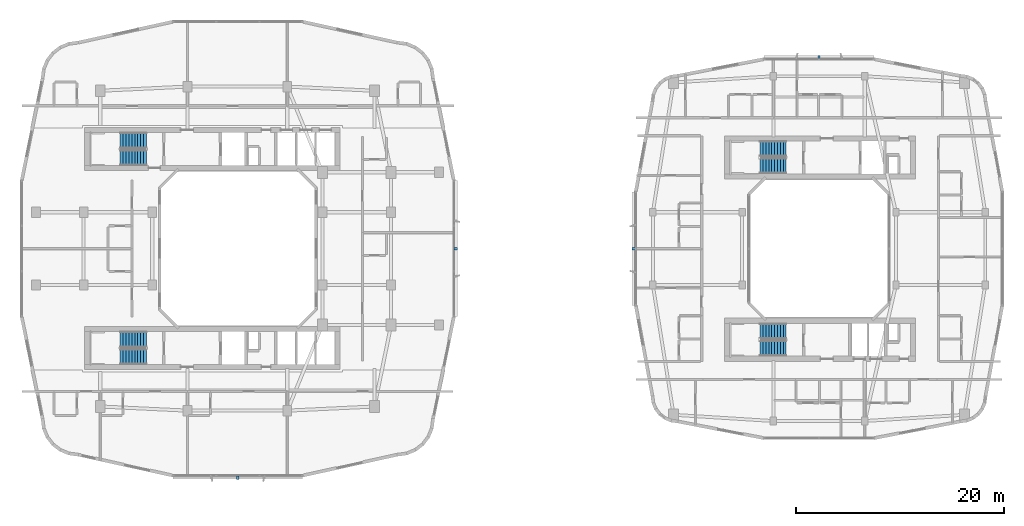
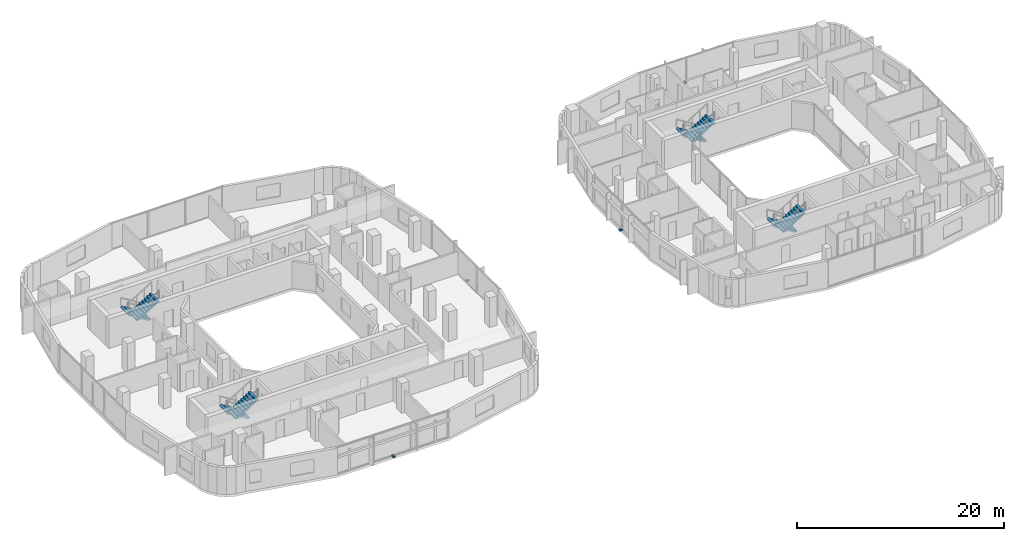
# One storey, part 20 of 25: 8 stair flights, 4 discrete accessories, 4 elements without a shape of their own.
"""IFC4 building model written with IfcOpenShell, lengths in metres."""

from ifc_helpers import new_model, si_unit, derived_unit, direction, frame, origin, origin_2d, place, context, subcontext, project, spatial, polyline, rectangle, outline, extrude, material, type_object, element, aggregate, save


model = new_model("IFC4")

# Units and contexts
model_context = context("Model", 3, precision=1e-05, world=origin(), true_north=direction((0.0, 1.0)))
body_context = subcontext(model_context, "Body", "Model", "MODEL_VIEW")
ifc_project = project(units=[si_unit("LENGTHUNIT", "METRE"), si_unit("AREAUNIT", "SQUARE_METRE"), si_unit("VOLUMEUNIT", "CUBIC_METRE"), si_unit("PLANEANGLEUNIT", "RADIAN"), si_unit("MASSUNIT", "GRAM", prefix="KILO"), derived_unit("THERMALTRANSMITTANCEUNIT", [(si_unit("POWERUNIT", "WATT"), 1), (si_unit("LENGTHUNIT", "METRE"), -2), (si_unit("THERMODYNAMICTEMPERATUREUNIT", "KELVIN"), -1)])], contexts=[model_context])

# Site, building, storey
site_placement = place(None, origin())
site = spatial("IfcSite", under=ifc_project, at=site_placement, CompositionType="ELEMENT")
building_placement = place(site_placement, origin())
building = spatial("IfcBuilding", under=site, at=building_placement, Name="Kivonza Crest Hotel", CompositionType="ELEMENT")
storey_placement = place(building_placement, frame((0.0, 0.0, 87.0)))
storey = spatial("IfcBuildingStorey", under=building, at=storey_placement, Name="L23", CompositionType="ELEMENT", Elevation=87.0)

# Stair, stair flights
ifc_material_1 = material(Name="Concrete C40/50", Category="concrete")
stair_type = type_object("IfcStairType", Name="ST-DL-20R", PredefinedType="HALF_TURN_STAIR", material=ifc_material_1)
stair_1_placement = place(storey_placement, origin())
stair_1 = element("IfcStair", 1, at=stair_1_placement, inside=storey, type_object=stair_type, Name="L23 Protected Exit Stair ST-T1-N", PredefinedType="HALF_TURN_STAIR")
stair_flight_type = type_object("IfcStairFlightType", Name="SFL-RC-10R", PredefinedType="STRAIGHT", material=ifc_material_1)
stair_flight_1_placement = place(storey_placement, frame((12.239990234375, 35.409912109375, 0.0), z_axis=(0.0, 0.0, 1.0), x_axis=(-1.0, 0.0, 0.0)))
stair_flight_1 = element("IfcStairFlight", 2, at=stair_flight_1_placement, type_object=stair_flight_type, Name="ST-T1-N flight 1", NumberOfRisers=10, NumberOfTreads=9, PredefinedType="STRAIGHT", RiserHeight=0.175, TreadLength=0.28, context=body_context, shape_type="SweptSolid", body=[
    extrude(outline(polyline([(0.0, 0.0), (0.0, 0.175048828125), (0.280029296875, 0.175048828125), (0.280029296875, 0.35009765625), (0.56005859375, 0.35009765625), (0.56005859375, 0.52490234375), (0.840087890625, 0.52490234375), (0.840087890625, 0.699951171875), (1.1201171875, 0.699951171875), (1.1201171875, 0.875), (1.39990234375, 0.875), (1.39990234375, 1.050048828125), (1.679931640625, 1.050048828125), (1.679931640625, 1.22509765625), (1.9599609375, 1.22509765625), (1.9599609375, 1.39990234375), (2.239990234375, 1.39990234375), (2.239990234375, 1.574951171875), (2.52001953125, 1.574951171875), (2.52001953125, 1.75), (2.52001953125, 1.398193359375), (0.28271484375, 0.0), (0.0, 0.0)])), frame((0.0, 0.75, 0.0), z_axis=(0.0, -1.0, 0.0), x_axis=(1.0, 0.0, 0.0)), (0.0, 0.0, 1.0), 1.5),
])
stair_flight_2_placement = place(storey_placement, frame((9.719970703125, 33.77001953125, 1.75), z_axis=(0.0, 0.0, 1.0), x_axis=(1.0, 0.0, 0.0)))
stair_flight_2 = element("IfcStairFlight", 3, at=stair_flight_2_placement, type_object=stair_flight_type, Name="ST-T1-N flight 2", NumberOfRisers=10, NumberOfTreads=9, PredefinedType="STRAIGHT", RiserHeight=0.175, TreadLength=0.28, context=body_context, shape_type="SweptSolid", body=[
    extrude(outline(polyline([(0.0, 0.0), (0.0, 0.175048828125), (0.280029296875, 0.175048828125), (0.280029296875, 0.35009765625), (0.56005859375, 0.35009765625), (0.56005859375, 0.52490234375), (0.840087890625, 0.52490234375), (0.840087890625, 0.699951171875), (1.1201171875, 0.699951171875), (1.1201171875, 0.875), (1.39990234375, 0.875), (1.39990234375, 1.050048828125), (1.679931640625, 1.050048828125), (1.679931640625, 1.22509765625), (1.9599609375, 1.22509765625), (1.9599609375, 1.39990234375), (2.239990234375, 1.39990234375), (2.239990234375, 1.574951171875), (2.52001953125, 1.574951171875), (2.52001953125, 1.75), (2.52001953125, 1.398193359375), (0.28271484375, 0.0), (0.0, 0.0)])), frame((0.0, 0.75, 0.0), z_axis=(0.0, -1.0, 0.0), x_axis=(1.0, 0.0, 0.0)), (0.0, 0.0, 1.0), 1.5),
])
aggregate(stair_1, [stair_flight_1, stair_flight_2])

stair_2_placement = place(storey_placement, origin())
stair_2 = element("IfcStair", 4, at=stair_2_placement, inside=storey, type_object=stair_type, Name="L23 Protected Exit Stair ST-T1-S", PredefinedType="HALF_TURN_STAIR")
stair_flight_3_placement = place(storey_placement, frame((12.239990234375, 16.25, 0.0), z_axis=(0.0, 0.0, 1.0), x_axis=(-1.0, 0.0, 0.0)))
stair_flight_3 = element("IfcStairFlight", 5, at=stair_flight_3_placement, type_object=stair_flight_type, Name="ST-T1-S flight 1", NumberOfRisers=10, NumberOfTreads=9, PredefinedType="STRAIGHT", RiserHeight=0.175, TreadLength=0.28, context=body_context, shape_type="SweptSolid", body=[
    extrude(outline(polyline([(0.0, 0.0), (0.0, 0.175048828125), (0.280029296875, 0.175048828125), (0.280029296875, 0.35009765625), (0.56005859375, 0.35009765625), (0.56005859375, 0.52490234375), (0.840087890625, 0.52490234375), (0.840087890625, 0.699951171875), (1.1201171875, 0.699951171875), (1.1201171875, 0.875), (1.39990234375, 0.875), (1.39990234375, 1.050048828125), (1.679931640625, 1.050048828125), (1.679931640625, 1.22509765625), (1.9599609375, 1.22509765625), (1.9599609375, 1.39990234375), (2.239990234375, 1.39990234375), (2.239990234375, 1.574951171875), (2.52001953125, 1.574951171875), (2.52001953125, 1.75), (2.52001953125, 1.398193359375), (0.28271484375, 0.0), (0.0, 0.0)])), frame((0.0, 0.75, 0.0), z_axis=(0.0, -1.0, 0.0), x_axis=(1.0, 0.0, 0.0)), (0.0, 0.0, 1.0), 1.5),
])
stair_flight_4_placement = place(storey_placement, frame((9.719970703125, 14.610107421875, 1.75), z_axis=(0.0, 0.0, 1.0), x_axis=(1.0, 0.0, 0.0)))
stair_flight_4 = element("IfcStairFlight", 6, at=stair_flight_4_placement, type_object=stair_flight_type, Name="ST-T1-S flight 2", NumberOfRisers=10, NumberOfTreads=9, PredefinedType="STRAIGHT", RiserHeight=0.175, TreadLength=0.28, context=body_context, shape_type="SweptSolid", body=[
    extrude(outline(polyline([(0.0, 0.0), (0.0, 0.175048828125), (0.280029296875, 0.175048828125), (0.280029296875, 0.35009765625), (0.56005859375, 0.35009765625), (0.56005859375, 0.52490234375), (0.840087890625, 0.52490234375), (0.840087890625, 0.699951171875), (1.1201171875, 0.699951171875), (1.1201171875, 0.875), (1.39990234375, 0.875), (1.39990234375, 1.050048828125), (1.679931640625, 1.050048828125), (1.679931640625, 1.22509765625), (1.9599609375, 1.22509765625), (1.9599609375, 1.39990234375), (2.239990234375, 1.39990234375), (2.239990234375, 1.574951171875), (2.52001953125, 1.574951171875), (2.52001953125, 1.75), (2.52001953125, 1.398193359375), (0.28271484375, 0.0), (0.0, 0.0)])), frame((0.0, 0.75, 0.0), z_axis=(0.0, -1.0, 0.0), x_axis=(1.0, 0.0, 0.0)), (0.0, 0.0, 1.0), 1.5),
])
aggregate(stair_2, [stair_flight_3, stair_flight_4])

stair_3_placement = place(storey_placement, origin())
stair_3 = element("IfcStair", 7, at=stair_3_placement, inside=storey, type_object=stair_type, Name="L23 Protected Exit Stair ST-T2-N", PredefinedType="HALF_TURN_STAIR")
stair_flight_5_placement = place(storey_placement, frame((73.840087890625, 34.610107421875, 0.0), z_axis=(0.0, 0.0, 1.0), x_axis=(-1.0, 0.0, 0.0)))
stair_flight_5 = element("IfcStairFlight", 8, at=stair_flight_5_placement, type_object=stair_flight_type, Name="ST-T2-N flight 1", NumberOfRisers=10, NumberOfTreads=9, PredefinedType="STRAIGHT", RiserHeight=0.175, TreadLength=0.28, context=body_context, shape_type="SweptSolid", body=[
    extrude(outline(polyline([(0.0, 0.0), (0.0, 0.175048828125), (0.280029296875, 0.175048828125), (0.280029296875, 0.35009765625), (0.56005859375, 0.35009765625), (0.56005859375, 0.52490234375), (0.840087890625, 0.52490234375), (0.840087890625, 0.699951171875), (1.1201171875, 0.699951171875), (1.1201171875, 0.875), (1.39990234375, 0.875), (1.39990234375, 1.050048828125), (1.679931640625, 1.050048828125), (1.679931640625, 1.22509765625), (1.9599609375, 1.22509765625), (1.9599609375, 1.39990234375), (2.239990234375, 1.39990234375), (2.239990234375, 1.574951171875), (2.52001953125, 1.574951171875), (2.52001953125, 1.75), (2.52001953125, 1.398193359375), (0.28271484375, 0.0), (0.0, 0.0)])), frame((0.0, 0.75, 0.0), z_axis=(0.0, -1.0, 0.0), x_axis=(1.0, 0.0, 0.0)), (0.0, 0.0, 1.0), 1.5),
])
stair_flight_6_placement = place(storey_placement, frame((71.320068359375, 32.969970703125, 1.75), z_axis=(0.0, 0.0, 1.0), x_axis=(1.0, 0.0, 0.0)))
stair_flight_6 = element("IfcStairFlight", 9, at=stair_flight_6_placement, type_object=stair_flight_type, Name="ST-T2-N flight 2", NumberOfRisers=10, NumberOfTreads=9, PredefinedType="STRAIGHT", RiserHeight=0.175, TreadLength=0.28, context=body_context, shape_type="SweptSolid", body=[
    extrude(outline(polyline([(0.0, 0.0), (0.0, 0.175048828125), (0.280029296875, 0.175048828125), (0.280029296875, 0.35009765625), (0.56005859375, 0.35009765625), (0.56005859375, 0.52490234375), (0.840087890625, 0.52490234375), (0.840087890625, 0.699951171875), (1.1201171875, 0.699951171875), (1.1201171875, 0.875), (1.39990234375, 0.875), (1.39990234375, 1.050048828125), (1.679931640625, 1.050048828125), (1.679931640625, 1.22509765625), (1.9599609375, 1.22509765625), (1.9599609375, 1.39990234375), (2.239990234375, 1.39990234375), (2.239990234375, 1.574951171875), (2.52001953125, 1.574951171875), (2.52001953125, 1.75), (2.52001953125, 1.398193359375), (0.28271484375, 0.0), (0.0, 0.0)])), frame((0.0, 0.75, 0.0), z_axis=(0.0, -1.0, 0.0), x_axis=(1.0, 0.0, 0.0)), (0.0, 0.0, 1.0), 1.5),
])
aggregate(stair_3, [stair_flight_5, stair_flight_6])

stair_4_placement = place(storey_placement, origin())
stair_4 = element("IfcStair", 10, at=stair_4_placement, inside=storey, type_object=stair_type, Name="L23 Protected Exit Stair ST-T2-S", PredefinedType="HALF_TURN_STAIR")
stair_flight_7_placement = place(storey_placement, frame((73.840087890625, 17.050048828125, 0.0), z_axis=(0.0, 0.0, 1.0), x_axis=(-1.0, 0.0, 0.0)))
stair_flight_7 = element("IfcStairFlight", 11, at=stair_flight_7_placement, type_object=stair_flight_type, Name="ST-T2-S flight 1", NumberOfRisers=10, NumberOfTreads=9, PredefinedType="STRAIGHT", RiserHeight=0.175, TreadLength=0.28, context=body_context, shape_type="SweptSolid", body=[
    extrude(outline(polyline([(0.0, 0.0), (0.0, 0.175048828125), (0.280029296875, 0.175048828125), (0.280029296875, 0.35009765625), (0.56005859375, 0.35009765625), (0.56005859375, 0.52490234375), (0.840087890625, 0.52490234375), (0.840087890625, 0.699951171875), (1.1201171875, 0.699951171875), (1.1201171875, 0.875), (1.39990234375, 0.875), (1.39990234375, 1.050048828125), (1.679931640625, 1.050048828125), (1.679931640625, 1.22509765625), (1.9599609375, 1.22509765625), (1.9599609375, 1.39990234375), (2.239990234375, 1.39990234375), (2.239990234375, 1.574951171875), (2.52001953125, 1.574951171875), (2.52001953125, 1.75), (2.52001953125, 1.398193359375), (0.28271484375, 0.0), (0.0, 0.0)])), frame((0.0, 0.75, 0.0), z_axis=(0.0, -1.0, 0.0), x_axis=(1.0, 0.0, 0.0)), (0.0, 0.0, 1.0), 1.5),
])
stair_flight_8_placement = place(storey_placement, frame((71.320068359375, 15.409912109375, 1.75), z_axis=(0.0, 0.0, 1.0), x_axis=(1.0, 0.0, 0.0)))
stair_flight_8 = element("IfcStairFlight", 12, at=stair_flight_8_placement, type_object=stair_flight_type, Name="ST-T2-S flight 2", NumberOfRisers=10, NumberOfTreads=9, PredefinedType="STRAIGHT", RiserHeight=0.175, TreadLength=0.28, context=body_context, shape_type="SweptSolid", body=[
    extrude(outline(polyline([(0.0, 0.0), (0.0, 0.175048828125), (0.280029296875, 0.175048828125), (0.280029296875, 0.35009765625), (0.56005859375, 0.35009765625), (0.56005859375, 0.52490234375), (0.840087890625, 0.52490234375), (0.840087890625, 0.699951171875), (1.1201171875, 0.699951171875), (1.1201171875, 0.875), (1.39990234375, 0.875), (1.39990234375, 1.050048828125), (1.679931640625, 1.050048828125), (1.679931640625, 1.22509765625), (1.9599609375, 1.22509765625), (1.9599609375, 1.39990234375), (2.239990234375, 1.39990234375), (2.239990234375, 1.574951171875), (2.52001953125, 1.574951171875), (2.52001953125, 1.75), (2.52001953125, 1.398193359375), (0.28271484375, 0.0), (0.0, 0.0)])), frame((0.0, 0.75, 0.0), z_axis=(0.0, -1.0, 0.0), x_axis=(1.0, 0.0, 0.0)), (0.0, 0.0, 1.0), 1.5),
])
aggregate(stair_4, [stair_flight_7, stair_flight_8])

# Discrete accessories
ifc_material_2 = material(Name="Stainless steel 316", Category="steel")
discrete_accessory_type = type_object("IfcDiscreteAccessoryType", Name="AC-BRACKET-240", PredefinedType="BRACKET", material=ifc_material_2)
for number, where, z_axis, x_axis, name in (
    (13, (21.0400390625, 2.9599609375, -0.009765625), (0.0, 0.0, 1.0), (1.0, 0.0, 0.0), "L23 terracotta baguette support bracket CW-T1-L23-08"),
    (14, (42.0400390625, 25.0, -0.009765625), (0.0, 0.0, 1.0), (0.0, 1.0, 0.0), "L23 terracotta baguette support bracket CW-T1-L23-17"),
    (15, (77.0, 43.43994140625, -0.009765625), (0.0, 0.0, 1.0), (-1.0, 0.0, 0.0), "L23 terracotta baguette support bracket CW-T2-L23-26"),
    (16, (59.159912109375, 25.0, -0.009765625), (0.0, 0.0, 1.0), (0.0, -1.0, 0.0), "L23 terracotta baguette support bracket CW-T2-L23-35"),
):
    element("IfcDiscreteAccessory", number, at=place(storey_placement, frame(where, z_axis=z_axis, x_axis=x_axis)), inside=storey, type_object=discrete_accessory_type, Name=name, PredefinedType="BRACKET", context=body_context, shape_type="SweptSolid", body=[
        extrude(rectangle(XDim=0.219970703125, YDim=0.340087890625, at=origin_2d()), origin(), (0.0, 0.0, 1.0), 0.179931640625),
    ])

save(model, "model.ifc")
